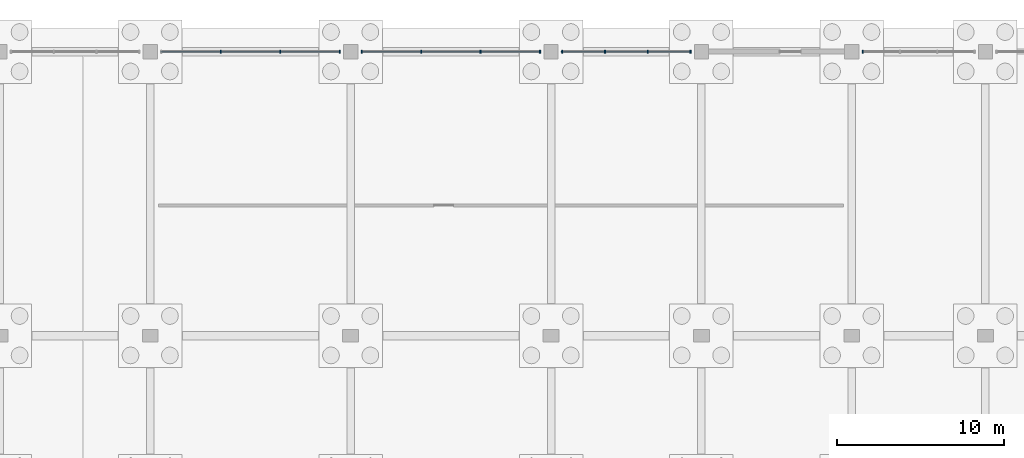
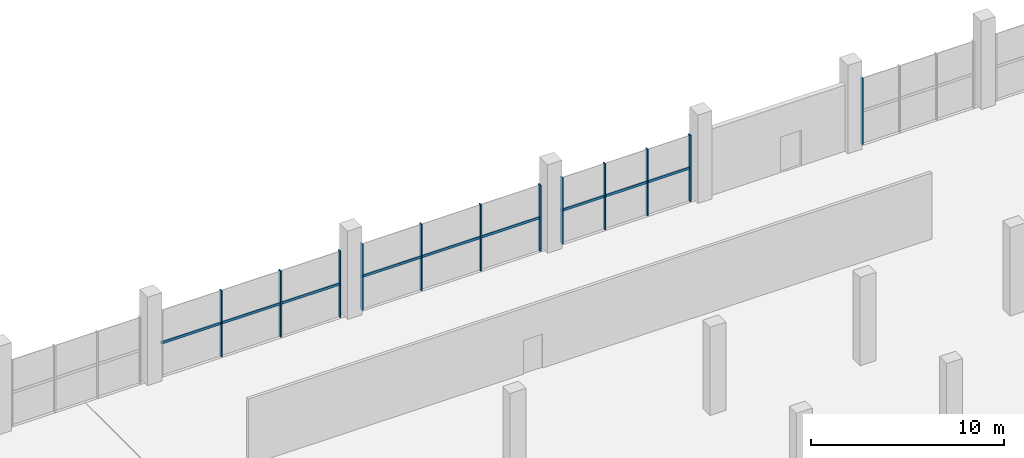
# One storey, part 60 of 98: 15 members, 4 elements without a shape of their own.
"""IFC4 building model written with IfcOpenShell, lengths in metres."""

from ifc_helpers import new_model, si_unit, derived_unit, direction, frame, origin, origin_2d, place, context, subcontext, project, spatial, rectangle, extrude, material, layer, layer_set, material_profile, profile_set, type_object, element, aggregate, save


model = new_model("IFC4")

# Units and contexts
model_context = context("Model", 3, precision=1e-05, world=origin(), true_north=direction((0.0, 1.0)))
body_context = subcontext(model_context, "Body", "Model", "MODEL_VIEW")
ifc_project = project(units=[si_unit("LENGTHUNIT", "METRE"), si_unit("AREAUNIT", "SQUARE_METRE"), si_unit("VOLUMEUNIT", "CUBIC_METRE"), si_unit("PLANEANGLEUNIT", "RADIAN"), si_unit("MASSUNIT", "GRAM", prefix="KILO"), si_unit("THERMODYNAMICTEMPERATUREUNIT", "KELVIN"), derived_unit("THERMALTRANSMITTANCEUNIT", [(si_unit("POWERUNIT", "WATT"), 1), (si_unit("AREAUNIT", "SQUARE_METRE"), -1), (si_unit("THERMODYNAMICTEMPERATUREUNIT", "KELVIN"), -1)])], contexts=[model_context])

# Site, building, storey
site_placement = place(None, origin())
site = spatial("IfcSite", under=ifc_project, at=site_placement, CompositionType="ELEMENT")
building_placement = place(site_placement, origin())
building = spatial("IfcBuilding", under=site, at=building_placement, Name="Haiyu Intermodal Mobility Hub", CompositionType="ELEMENT")
storey_placement = place(building_placement, origin())
storey = spatial("IfcBuildingStorey", under=building, at=storey_placement, Name="L00", CompositionType="ELEMENT", Elevation=0.0)

# Curtain wall, members
ifc_material_1 = material(Name="Low-e laminated insulating glass", Category="glass")
ifc_layer = layer(ifc_material_1, 0.219970703125)
ifc_layer_set = layer_set([ifc_layer], Name="Low-e laminated insulating glass")
curtain_wall_type = type_object("IfcCurtainWallType", Name="CW-CW01", PredefinedType="NOTDEFINED", material=ifc_layer_set)
curtain_wall_1_placement = place(storey_placement, origin())
curtain_wall_1 = element("IfcCurtainWall", 1, at=curtain_wall_1_placement, inside=storey, type_object=curtain_wall_type, Name="Curtain Wall CW-V4N-L00-044", PredefinedType="NOTDEFINED")
ifc_material_2 = material(Name="Anodised aluminium 6063-T6", Category="aluminium")
ifc_material_profile_1 = material_profile(ifc_material_2, rectangle(XDim=0.074951171875, YDim=0.199951171875, at=origin_2d()), Name="ALU75x200")
ifc_profile_set_1 = profile_set([ifc_material_profile_1], Name="Anodised aluminium 6063-T6")
member_type_1 = type_object("IfcMemberType", Name="CWM-ML01", PredefinedType="MULLION", material=ifc_profile_set_1)
member_1_placement = place(storey_placement, frame((107.340087890625, 148.0, 0.0), z_axis=(0.0, 0.0, 1.0), x_axis=(1.0, 0.0, 0.0)))
member_1 = element("IfcMember", 2, at=member_1_placement, type_object=member_type_1, Name="CW-V4N-L00-044-ML01", PredefinedType="MULLION", context=body_context, shape_type="SweptSolid", body=[
    extrude(rectangle(XDim=0.074951171875, YDim=0.199951171875, at=origin_2d()), origin(), (0.0, 0.0, 1.0), 4.199951171875),
])
member_2_placement = place(storey_placement, frame((103.780029296875, 148.0, 0.0), z_axis=(0.0, 0.0, 1.0), x_axis=(1.0, 0.0, 0.0)))
member_2 = element("IfcMember", 3, at=member_2_placement, type_object=member_type_1, Name="CW-V4N-L00-044-ML02", PredefinedType="MULLION", context=body_context, shape_type="SweptSolid", body=[
    extrude(rectangle(XDim=0.074951171875, YDim=0.199951171875, at=origin_2d()), origin(), (0.0, 0.0, 1.0), 4.199951171875),
])
member_3_placement = place(storey_placement, frame((100.219970703125, 148.0, 0.0), z_axis=(0.0, 0.0, 1.0), x_axis=(1.0, 0.0, 0.0)))
member_3 = element("IfcMember", 4, at=member_3_placement, type_object=member_type_1, Name="CW-V4N-L00-044-ML03", PredefinedType="MULLION", context=body_context, shape_type="SweptSolid", body=[
    extrude(rectangle(XDim=0.074951171875, YDim=0.199951171875, at=origin_2d()), origin(), (0.0, 0.0, 1.0), 4.199951171875),
])

curtain_wall_2_placement = place(storey_placement, origin())
curtain_wall_2 = element("IfcCurtainWall", 5, at=curtain_wall_2_placement, inside=storey, type_object=curtain_wall_type, Name="Curtain Wall CW-V4N-L00-045", PredefinedType="NOTDEFINED")
member_4_placement = place(storey_placement, frame((119.340087890625, 148.0, 0.0), z_axis=(0.0, 0.0, 1.0), x_axis=(1.0, 0.0, 0.0)))
member_4 = element("IfcMember", 6, at=member_4_placement, type_object=member_type_1, Name="CW-V4N-L00-045-ML01", PredefinedType="MULLION", context=body_context, shape_type="SweptSolid", body=[
    extrude(rectangle(XDim=0.074951171875, YDim=0.199951171875, at=origin_2d()), origin(), (0.0, 0.0, 1.0), 4.199951171875),
])
member_5_placement = place(storey_placement, frame((115.780029296875, 148.0, 0.0), z_axis=(0.0, 0.0, 1.0), x_axis=(1.0, 0.0, 0.0)))
member_5 = element("IfcMember", 7, at=member_5_placement, type_object=member_type_1, Name="CW-V4N-L00-045-ML02", PredefinedType="MULLION", context=body_context, shape_type="SweptSolid", body=[
    extrude(rectangle(XDim=0.074951171875, YDim=0.199951171875, at=origin_2d()), origin(), (0.0, 0.0, 1.0), 4.199951171875),
])
member_6_placement = place(storey_placement, frame((112.219970703125, 148.0, 0.0), z_axis=(0.0, 0.0, 1.0), x_axis=(1.0, 0.0, 0.0)))
member_6 = element("IfcMember", 8, at=member_6_placement, type_object=member_type_1, Name="CW-V4N-L00-045-ML03", PredefinedType="MULLION", context=body_context, shape_type="SweptSolid", body=[
    extrude(rectangle(XDim=0.074951171875, YDim=0.199951171875, at=origin_2d()), origin(), (0.0, 0.0, 1.0), 4.199951171875),
])
member_7_placement = place(storey_placement, frame((108.659912109375, 148.0, 0.0), z_axis=(0.0, 0.0, 1.0), x_axis=(1.0, 0.0, 0.0)))
member_7 = element("IfcMember", 9, at=member_7_placement, type_object=member_type_1, Name="CW-V4N-L00-045-ML04", PredefinedType="MULLION", context=body_context, shape_type="SweptSolid", body=[
    extrude(rectangle(XDim=0.074951171875, YDim=0.199951171875, at=origin_2d()), origin(), (0.0, 0.0, 1.0), 4.199951171875),
])

curtain_wall_3_placement = place(storey_placement, origin())
curtain_wall_3 = element("IfcCurtainWall", 10, at=curtain_wall_3_placement, inside=storey, type_object=curtain_wall_type, Name="Curtain Wall CW-V4N-L00-046", PredefinedType="NOTDEFINED")
member_8_placement = place(storey_placement, frame((128.340087890625, 148.0, 0.0), z_axis=(0.0, 0.0, 1.0), x_axis=(1.0, 0.0, 0.0)))
member_8 = element("IfcMember", 11, at=member_8_placement, type_object=member_type_1, Name="CW-V4N-L00-046-ML01", PredefinedType="MULLION", context=body_context, shape_type="SweptSolid", body=[
    extrude(rectangle(XDim=0.074951171875, YDim=0.199951171875, at=origin_2d()), origin(), (0.0, 0.0, 1.0), 4.199951171875),
])
member_9_placement = place(storey_placement, frame((125.780029296875, 148.0, 0.0), z_axis=(0.0, 0.0, 1.0), x_axis=(1.0, 0.0, 0.0)))
member_9 = element("IfcMember", 12, at=member_9_placement, type_object=member_type_1, Name="CW-V4N-L00-046-ML02", PredefinedType="MULLION", context=body_context, shape_type="SweptSolid", body=[
    extrude(rectangle(XDim=0.074951171875, YDim=0.199951171875, at=origin_2d()), origin(), (0.0, 0.0, 1.0), 4.199951171875),
])
member_10_placement = place(storey_placement, frame((123.219970703125, 148.0, 0.0), z_axis=(0.0, 0.0, 1.0), x_axis=(1.0, 0.0, 0.0)))
member_10 = element("IfcMember", 13, at=member_10_placement, type_object=member_type_1, Name="CW-V4N-L00-046-ML03", PredefinedType="MULLION", context=body_context, shape_type="SweptSolid", body=[
    extrude(rectangle(XDim=0.074951171875, YDim=0.199951171875, at=origin_2d()), origin(), (0.0, 0.0, 1.0), 4.199951171875),
])
member_11_placement = place(storey_placement, frame((120.659912109375, 148.0, 0.0), z_axis=(0.0, 0.0, 1.0), x_axis=(1.0, 0.0, 0.0)))
member_11 = element("IfcMember", 14, at=member_11_placement, type_object=member_type_1, Name="CW-V4N-L00-046-ML04", PredefinedType="MULLION", context=body_context, shape_type="SweptSolid", body=[
    extrude(rectangle(XDim=0.074951171875, YDim=0.199951171875, at=origin_2d()), origin(), (0.0, 0.0, 1.0), 4.199951171875),
])

# Curtain wall, member
curtain_wall_4_placement = place(storey_placement, origin())
curtain_wall_4 = element("IfcCurtainWall", 15, at=curtain_wall_4_placement, inside=storey, type_object=curtain_wall_type, Name="Curtain Wall CW-V4N-L00-047", PredefinedType="NOTDEFINED")
member_12_placement = place(storey_placement, frame((138.659912109375, 148.0, 0.0), z_axis=(0.0, 0.0, 1.0), x_axis=(1.0, 0.0, 0.0)))
member_12 = element("IfcMember", 16, at=member_12_placement, type_object=member_type_1, Name="CW-V4N-L00-047-ML04", PredefinedType="MULLION", context=body_context, shape_type="SweptSolid", body=[
    extrude(rectangle(XDim=0.074951171875, YDim=0.199951171875, at=origin_2d()), origin(), (0.0, 0.0, 1.0), 4.199951171875),
])
aggregate(curtain_wall_4, [member_12])

# Member
ifc_material_profile_2 = material_profile(ifc_material_2, rectangle(XDim=0.074951171875, YDim=0.159912109375, at=origin_2d()), Name="ALU75x160")
ifc_profile_set_2 = profile_set([ifc_material_profile_2], Name="Anodised aluminium 6063-T6")
member_type_2 = type_object("IfcMemberType", Name="CWM-TR01", PredefinedType="USERDEFINED", material=ifc_profile_set_2)
member_13_placement = place(storey_placement, frame((107.3798828125, 148.0, 2.10009765625), z_axis=(-1.0, 0.0, 0.0), x_axis=(0.0, -1.0, 0.0)))
member_13 = element("IfcMember", 17, at=member_13_placement, type_object=member_type_2, Name="CW-V4N-L00-044-TR01", ObjectType="TRANSOM", PredefinedType="USERDEFINED", context=body_context, shape_type="SweptSolid", body=[
    extrude(rectangle(XDim=0.074951171875, YDim=0.159912109375, at=origin_2d()), origin(), (0.0, 0.0, 1.0), 10.759765625),
])

aggregate(curtain_wall_1, [member_1, member_2, member_3, member_13])

member_14_placement = place(storey_placement, frame((119.3798828125, 148.0, 2.10009765625), z_axis=(-1.0, 0.0, 0.0), x_axis=(0.0, -1.0, 0.0)))
member_14 = element("IfcMember", 18, at=member_14_placement, type_object=member_type_2, Name="CW-V4N-L00-045-TR01", ObjectType="TRANSOM", PredefinedType="USERDEFINED", context=body_context, shape_type="SweptSolid", body=[
    extrude(rectangle(XDim=0.074951171875, YDim=0.159912109375, at=origin_2d()), origin(), (0.0, 0.0, 1.0), 10.759765625),
])

aggregate(curtain_wall_2, [member_4, member_5, member_6, member_7, member_14])

member_15_placement = place(storey_placement, frame((128.3798828125, 148.0, 2.10009765625), z_axis=(-1.0, 0.0, 0.0), x_axis=(0.0, -1.0, 0.0)))
member_15 = element("IfcMember", 19, at=member_15_placement, type_object=member_type_2, Name="CW-V4N-L00-046-TR01", ObjectType="TRANSOM", PredefinedType="USERDEFINED", context=body_context, shape_type="SweptSolid", body=[
    extrude(rectangle(XDim=0.074951171875, YDim=0.159912109375, at=origin_2d()), origin(), (0.0, 0.0, 1.0), 7.759765625),
])

aggregate(curtain_wall_3, [member_8, member_9, member_10, member_11, member_15])

save(model, "model.ifc")
